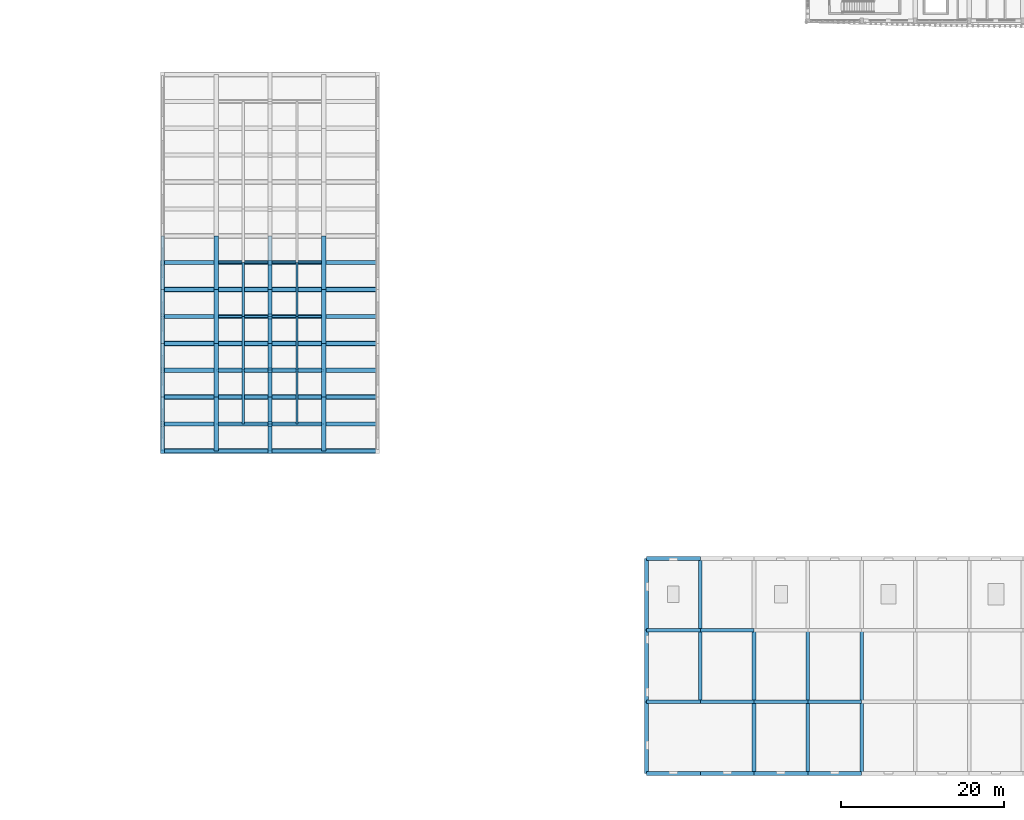
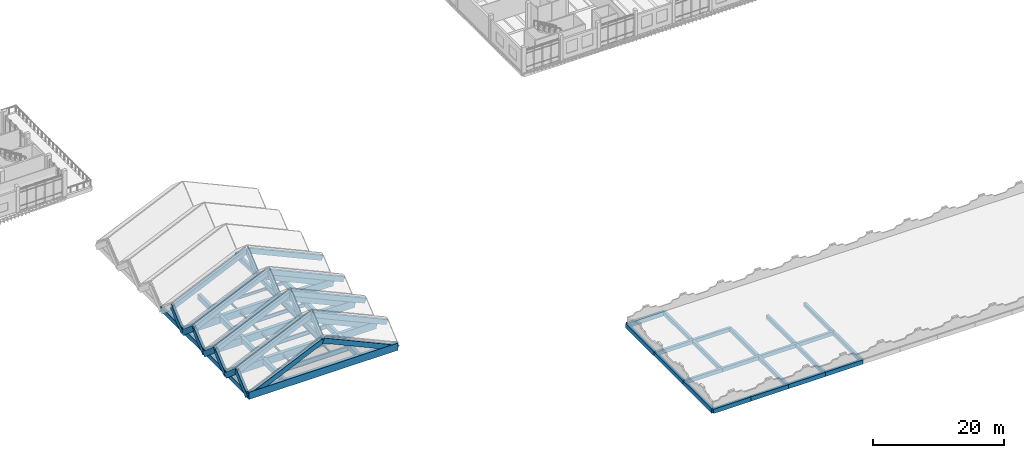
# One storey, part 2 of 50: 76 beams, 6 members.
"""IFC4 building model written with IfcOpenShell, lengths in metres."""

from ifc_helpers import new_model, si_unit, direction, frame, origin, origin_2d, place, context, subcontext, project, spatial, rectangle, i_section, extrude, material, material_profile, profile_set, type_object, element, save


model = new_model("IFC4")

# Units and contexts
model_context = context("Model", 3, precision=1e-05, world=origin(), true_north=direction((0.0, 1.0)))
body_context = subcontext(model_context, "Body", "Model", "MODEL_VIEW")
ifc_project = project(units=[si_unit("LENGTHUNIT", "METRE"), si_unit("AREAUNIT", "SQUARE_METRE"), si_unit("VOLUMEUNIT", "CUBIC_METRE"), si_unit("PLANEANGLEUNIT", "RADIAN"), si_unit("MASSUNIT", "GRAM", prefix="KILO")], contexts=[model_context])

# Site, building, storey
site_placement = place(None, origin())
site = spatial("IfcSite", under=ifc_project, at=site_placement, CompositionType="ELEMENT")
building_placement = place(site_placement, origin())
building = spatial("IfcBuilding", under=site, at=building_placement, Name="Dornvale Research Institute", CompositionType="ELEMENT")
storey_placement = place(building_placement, frame((0.0, 0.0, 19.800048828125)))
storey = spatial("IfcBuildingStorey", under=building, at=storey_placement, Name="L04", CompositionType="ELEMENT", Elevation=19.800048828125)

# Beams
ifc_material_1 = material(Name="Concrete f'c 45 MPa (C35/45)", Category="concrete")
ifc_material_profile_1 = material_profile(ifc_material_1, rectangle(XDim=0.449951171875, YDim=0.715087890625, at=origin_2d()), Name="RC 450x715")
ifc_profile_set_1 = profile_set([ifc_material_profile_1], Name="Concrete f'c 45 MPa (C35/45)")
beam_type_1 = type_object("IfcBeamType", Name="Beam_RC450x715_Lab", PredefinedType="BEAM", material=ifc_profile_set_1)
beam_1_placement = place(storey_placement, frame((99.0, 8.800048828125, -0.357666015625), z_axis=(1.0, 0.0, 0.0), x_axis=(0.0, 1.0, 0.0)))
element("IfcBeam", 1, at=beam_1_placement, inside=storey, type_object=beam_type_1, Name="L04 primary girder #1247", PredefinedType="BEAM", context=body_context, shape_type="SweptSolid", body=[
    extrude(rectangle(XDim=0.449951171875, YDim=0.715087890625, at=origin_2d()), origin(), (0.0, 0.0, 1.0), 6.60009765625),
])
beam_2_placement = place(storey_placement, frame((105.60009765625, 8.800048828125, -0.357666015625), z_axis=(1.0, 0.0, 0.0), x_axis=(0.0, 1.0, 0.0)))
element("IfcBeam", 2, at=beam_2_placement, inside=storey, type_object=beam_type_1, Name="L04 primary girder #1248", PredefinedType="BEAM", context=body_context, shape_type="SweptSolid", body=[
    extrude(rectangle(XDim=0.449951171875, YDim=0.715087890625, at=origin_2d()), origin(), (0.0, 0.0, 1.0), 6.599853515625),
])
beam_3_placement = place(storey_placement, frame((112.199951171875, 8.800048828125, -0.357666015625), z_axis=(1.0, 0.0, 0.0), x_axis=(0.0, 1.0, 0.0)))
element("IfcBeam", 3, at=beam_3_placement, inside=storey, type_object=beam_type_1, Name="L04 primary girder #1249", PredefinedType="BEAM", context=body_context, shape_type="SweptSolid", body=[
    extrude(rectangle(XDim=0.449951171875, YDim=0.715087890625, at=origin_2d()), origin(), (0.0, 0.0, 1.0), 6.60009765625),
])
beam_4_placement = place(storey_placement, frame((118.800048828125, 8.800048828125, -0.357666015625), z_axis=(1.0, 0.0, 0.0), x_axis=(0.0, 1.0, 0.0)))
element("IfcBeam", 4, at=beam_4_placement, inside=storey, type_object=beam_type_1, Name="L04 primary girder #1250", PredefinedType="BEAM", context=body_context, shape_type="SweptSolid", body=[
    extrude(rectangle(XDim=0.449951171875, YDim=0.715087890625, at=origin_2d()), origin(), (0.0, 0.0, 1.0), 6.599853515625),
])
beam_5_placement = place(storey_placement, frame((99.0, 17.60009765625, -0.357666015625), z_axis=(1.0, 0.0, 0.0), x_axis=(0.0, 1.0, 0.0)))
element("IfcBeam", 5, at=beam_5_placement, inside=storey, type_object=beam_type_1, Name="L04 primary girder #1259", PredefinedType="BEAM", context=body_context, shape_type="SweptSolid", body=[
    extrude(rectangle(XDim=0.449951171875, YDim=0.715087890625, at=origin_2d()), origin(), (0.0, 0.0, 1.0), 6.60009765625),
])
beam_6_placement = place(storey_placement, frame((105.60009765625, 17.60009765625, -0.357666015625), z_axis=(1.0, 0.0, 0.0), x_axis=(0.0, 1.0, 0.0)))
element("IfcBeam", 6, at=beam_6_placement, inside=storey, type_object=beam_type_1, Name="L04 primary girder #1260", PredefinedType="BEAM", context=body_context, shape_type="SweptSolid", body=[
    extrude(rectangle(XDim=0.449951171875, YDim=0.715087890625, at=origin_2d()), origin(), (0.0, 0.0, 1.0), 6.599853515625),
])
beam_7_placement = place(storey_placement, frame((105.60009765625, 8.800048828125, -0.357666015625), z_axis=(0.0, 1.0, 0.0), x_axis=(-1.0, 0.0, 0.0)))
element("IfcBeam", 7, at=beam_7_placement, inside=storey, type_object=beam_type_1, Name="L04 transverse girder #1286", PredefinedType="BEAM", context=body_context, shape_type="SweptSolid", body=[
    extrude(rectangle(XDim=0.449951171875, YDim=0.715087890625, at=origin_2d()), origin(), (0.0, 0.0, 1.0), 8.800048828125),
])
beam_8_placement = place(storey_placement, frame((105.60009765625, 17.60009765625, -0.357666015625), z_axis=(0.0, 1.0, 0.0), x_axis=(-1.0, 0.0, 0.0)))
element("IfcBeam", 8, at=beam_8_placement, inside=storey, type_object=beam_type_1, Name="L04 transverse girder #1287", PredefinedType="BEAM", context=body_context, shape_type="SweptSolid", body=[
    extrude(rectangle(XDim=0.449951171875, YDim=0.715087890625, at=origin_2d()), origin(), (0.0, 0.0, 1.0), 8.7998046875),
])
for number, where, z_axis, x_axis, name in (
    (9, (112.199951171875, 0.0, -0.357666015625), (0.0, 1.0, 0.0), (-1.0, 0.0, 0.0), "L04 transverse girder #1288"),
    (10, (112.199951171875, 8.800048828125, -0.357666015625), (0.0, 1.0, 0.0), (-1.0, 0.0, 0.0), "L04 transverse girder #1289"),
    (11, (118.800048828125, 0.0, -0.357666015625), (0.0, 1.0, 0.0), (-1.0, 0.0, 0.0), "L04 transverse girder #1291"),
    (12, (118.800048828125, 8.800048828125, -0.357666015625), (0.0, 1.0, 0.0), (-1.0, 0.0, 0.0), "L04 transverse girder #1292"),
    (13, (125.39990234375, 0.0, -0.357666015625), (0.0, 1.0, 0.0), (-1.0, 0.0, 0.0), "L04 transverse girder #1294"),
    (14, (125.39990234375, 8.800048828125, -0.357666015625), (0.0, 1.0, 0.0), (-1.0, 0.0, 0.0), "L04 transverse girder #1295"),
):
    element("IfcBeam", number, at=place(storey_placement, frame(where, z_axis=z_axis, x_axis=x_axis)), inside=storey, type_object=beam_type_1, Name=name, PredefinedType="BEAM", context=body_context, shape_type="SweptSolid", body=[
        extrude(rectangle(XDim=0.449951171875, YDim=0.715087890625, at=origin_2d()), origin(), (0.0, 0.0, 1.0), 8.800048828125),
    ])
ifc_material_2 = material(Name="Concrete f'c 45 MPa (C35/45)", Category="concrete")
ifc_material_profile_2 = material_profile(ifc_material_2, rectangle(XDim=0.5, YDim=0.89990234375, at=origin_2d()), Name="RC 500x900")
ifc_profile_set_2 = profile_set([ifc_material_profile_2], Name="Concrete f'c 45 MPa (C35/45)")
beam_type_2 = type_object("IfcBeamType", Name="Beam_RC500x900_Ridge", PredefinedType="BEAM", material=ifc_profile_set_2)
beam_9_placement = place(storey_placement, frame((52.800048828125, 39.60009765625, 5.030029296875), z_axis=(0.0, 1.0, 0.0), x_axis=(-1.0, 0.0, 0.0)))
element("IfcBeam", 15, at=beam_9_placement, inside=storey, type_object=beam_type_2, Name="L04 V2 folded-plate valley spine tie #1943", PredefinedType="BEAM", context=body_context, shape_type="SweptSolid", body=[
    extrude(rectangle(XDim=0.5, YDim=0.89990234375, at=origin_2d()), origin(), (0.0, 0.0, 1.0), 6.599853515625),
])
beam_10_placement = place(storey_placement, frame((52.800048828125, 46.199951171875, 5.030029296875), z_axis=(0.0, 1.0, 0.0), x_axis=(-1.0, 0.0, 0.0)))
element("IfcBeam", 16, at=beam_10_placement, inside=storey, type_object=beam_type_2, Name="L04 V2 folded-plate valley spine tie #1948", PredefinedType="BEAM", context=body_context, shape_type="SweptSolid", body=[
    extrude(rectangle(XDim=0.5, YDim=0.89990234375, at=origin_2d()), origin(), (0.0, 0.0, 1.0), 6.60009765625),
])
beam_11_placement = place(storey_placement, frame((52.800048828125, 52.800048828125, 5.030029296875), z_axis=(0.0, 1.0, 0.0), x_axis=(-1.0, 0.0, 0.0)))
element("IfcBeam", 17, at=beam_11_placement, inside=storey, type_object=beam_type_2, Name="L04 V2 folded-plate valley spine tie #1953", PredefinedType="BEAM", context=body_context, shape_type="SweptSolid", body=[
    extrude(rectangle(XDim=0.5, YDim=0.89990234375, at=origin_2d()), origin(), (0.0, 0.0, 1.0), 6.599853515625),
])
beam_12_placement = place(storey_placement, frame((52.800048828125, 59.39990234375, 5.030029296875), z_axis=(0.0, 1.0, 0.0), x_axis=(-1.0, 0.0, 0.0)))
element("IfcBeam", 18, at=beam_12_placement, inside=storey, type_object=beam_type_2, Name="L04 V2 folded-plate valley spine tie #1958", PredefinedType="BEAM", context=body_context, shape_type="SweptSolid", body=[
    extrude(rectangle(XDim=0.5, YDim=0.89990234375, at=origin_2d()), origin(), (0.0, 0.0, 1.0), 6.60009765625),
])
for number, where, z_axis, x_axis, name in (
    (19, (52.800048828125, 39.60009765625, 5.030029296875), (0.0, 0.762512508849, 0.646973472291), (-1.0, 0.0, 0.0), "L04 V2 folded-plate spine chord S #1975"),
    (20, (52.800048828125, 42.89990234375, 7.829833984375), (0.0, 0.762536121444, -0.646945641838), (-1.0, 0.0, 0.0), "L04 V2 folded-plate spine chord N #1975"),
):
    element("IfcBeam", number, at=place(storey_placement, frame(where, z_axis=z_axis, x_axis=x_axis)), inside=storey, type_object=beam_type_2, Name=name, PredefinedType="BEAM", context=body_context, shape_type="SweptSolid", body=[
        extrude(rectangle(XDim=0.5, YDim=0.89990234375, at=origin_2d()), origin(), (0.0, 0.0, 1.0), 4.32763671875),
    ])
for number, where, z_axis, x_axis, name in (
    (21, (39.60009765625, 42.89990234375, 1.829833984375), (0.910365900827, 0.0, 0.413804212897), (0.0, 1.0, 0.0), "L04 V2 west pleat ridge rafter #1975"),
    (22, (66.0, 42.89990234375, 1.829833984375), (-0.910365900827, 0.0, 0.413804212897), (0.0, -1.0, 0.0), "L04 V2 east pleat ridge rafter #1975"),
):
    element("IfcBeam", number, at=place(storey_placement, frame(where, z_axis=z_axis, x_axis=x_axis)), inside=storey, type_object=beam_type_2, Name=name, PredefinedType="BEAM", context=body_context, shape_type="SweptSolid", body=[
        extrude(rectangle(XDim=0.5, YDim=0.89990234375, at=origin_2d()), origin(), (0.0, 0.0, 1.0), 14.49951171875),
    ])
for number, where, z_axis, x_axis, name in (
    (23, (52.800048828125, 46.199951171875, 5.030029296875), (0.0, 0.762536121444, 0.646945641838), (-1.0, 0.0, 0.0), "L04 V2 folded-plate spine chord S #1975"),
    (24, (52.800048828125, 49.5, 7.829833984375), (0.0, 0.762536121444, -0.646945641838), (-1.0, 0.0, 0.0), "L04 V2 folded-plate spine chord N #1975"),
):
    element("IfcBeam", number, at=place(storey_placement, frame(where, z_axis=z_axis, x_axis=x_axis)), inside=storey, type_object=beam_type_2, Name=name, PredefinedType="BEAM", context=body_context, shape_type="SweptSolid", body=[
        extrude(rectangle(XDim=0.5, YDim=0.89990234375, at=origin_2d()), origin(), (0.0, 0.0, 1.0), 4.32763671875),
    ])
for number, where, z_axis, x_axis, name in (
    (25, (39.60009765625, 49.5, 1.829833984375), (0.910365900827, 0.0, 0.413804212897), (0.0, 1.0, 0.0), "L04 V2 west pleat ridge rafter #1975"),
    (26, (66.0, 49.5, 1.829833984375), (-0.910365900827, 0.0, 0.413804212897), (0.0, -1.0, 0.0), "L04 V2 east pleat ridge rafter #1975"),
):
    element("IfcBeam", number, at=place(storey_placement, frame(where, z_axis=z_axis, x_axis=x_axis)), inside=storey, type_object=beam_type_2, Name=name, PredefinedType="BEAM", context=body_context, shape_type="SweptSolid", body=[
        extrude(rectangle(XDim=0.5, YDim=0.89990234375, at=origin_2d()), origin(), (0.0, 0.0, 1.0), 14.49951171875),
    ])
for number, where, z_axis, x_axis, name in (
    (27, (52.800048828125, 52.800048828125, 5.030029296875), (0.0, 0.762536121444, 0.646945641838), (-1.0, 0.0, 0.0), "L04 V2 folded-plate spine chord S #1975"),
    (28, (52.800048828125, 56.10009765625, 7.829833984375), (0.0, 0.762512508849, -0.646973472291), (-1.0, 0.0, 0.0), "L04 V2 folded-plate spine chord N #1975"),
):
    element("IfcBeam", number, at=place(storey_placement, frame(where, z_axis=z_axis, x_axis=x_axis)), inside=storey, type_object=beam_type_2, Name=name, PredefinedType="BEAM", context=body_context, shape_type="SweptSolid", body=[
        extrude(rectangle(XDim=0.5, YDim=0.89990234375, at=origin_2d()), origin(), (0.0, 0.0, 1.0), 4.32763671875),
    ])
for number, where, z_axis, x_axis, name in (
    (29, (39.60009765625, 56.10009765625, 1.829833984375), (0.910365900827, 0.0, 0.413804212897), (0.0, 1.0, 0.0), "L04 V2 west pleat ridge rafter #1975"),
    (30, (66.0, 56.10009765625, 1.829833984375), (-0.910365900827, 0.0, 0.413804212897), (0.0, -1.0, 0.0), "L04 V2 east pleat ridge rafter #1975"),
):
    element("IfcBeam", number, at=place(storey_placement, frame(where, z_axis=z_axis, x_axis=x_axis)), inside=storey, type_object=beam_type_2, Name=name, PredefinedType="BEAM", context=body_context, shape_type="SweptSolid", body=[
        extrude(rectangle(XDim=0.5, YDim=0.89990234375, at=origin_2d()), origin(), (0.0, 0.0, 1.0), 14.49951171875),
    ])
beam_13_placement = place(storey_placement, frame((52.800048828125, 59.39990234375, 5.030029296875), z_axis=(0.0, 0.762536121444, 0.646945641838), x_axis=(-1.0, 0.0, 0.0)))
element("IfcBeam", 31, at=beam_13_placement, inside=storey, type_object=beam_type_2, Name="L04 V2 folded-plate spine chord S #1975", PredefinedType="BEAM", context=body_context, shape_type="SweptSolid", body=[
    extrude(rectangle(XDim=0.5, YDim=0.89990234375, at=origin_2d()), origin(), (0.0, 0.0, 1.0), 4.32763671875),
])
for number, where, z_axis, x_axis, name in (
    (32, (39.60009765625, 62.699951171875, 1.829833984375), (0.910365900827, 0.0, 0.413804212897), (0.0, 1.0, 0.0), "L04 V2 west pleat ridge rafter #1975"),
    (33, (66.0, 62.699951171875, 1.829833984375), (-0.910365900827, 0.0, 0.413804212897), (0.0, -1.0, 0.0), "L04 V2 east pleat ridge rafter #1975"),
    (34, (39.60009765625, 39.60009765625, -0.969970703125), (0.910365900827, 0.0, 0.413804212897), (0.0, 1.0, 0.0), "L04 V2 west valley rafter #1977"),
    (35, (66.0, 39.60009765625, -0.969970703125), (-0.910365900827, 0.0, 0.413804212897), (0.0, -1.0, 0.0), "L04 V2 east valley rafter #1978"),
    (36, (39.60009765625, 46.199951171875, -0.969970703125), (0.910365900827, 0.0, 0.413804212897), (0.0, 1.0, 0.0), "L04 V2 west valley rafter #1980"),
    (37, (66.0, 46.199951171875, -0.969970703125), (-0.910365900827, 0.0, 0.413804212897), (0.0, -1.0, 0.0), "L04 V2 east valley rafter #1981"),
    (38, (39.60009765625, 52.800048828125, -0.969970703125), (0.910365900827, 0.0, 0.413804212897), (0.0, 1.0, 0.0), "L04 V2 west valley rafter #1983"),
    (39, (66.0, 52.800048828125, -0.969970703125), (-0.910365900827, 0.0, 0.413804212897), (0.0, -1.0, 0.0), "L04 V2 east valley rafter #1984"),
    (40, (39.60009765625, 59.39990234375, -0.969970703125), (0.910365900827, 0.0, 0.413804212897), (0.0, 1.0, 0.0), "L04 V2 west valley rafter #1986"),
    (41, (66.0, 59.39990234375, -0.969970703125), (-0.910365900827, 0.0, 0.413804212897), (0.0, -1.0, 0.0), "L04 V2 east valley rafter #1987"),
):
    element("IfcBeam", number, at=place(storey_placement, frame(where, z_axis=z_axis, x_axis=x_axis)), inside=storey, type_object=beam_type_2, Name=name, PredefinedType="BEAM", context=body_context, shape_type="SweptSolid", body=[
        extrude(rectangle(XDim=0.5, YDim=0.89990234375, at=origin_2d()), origin(), (0.0, 0.0, 1.0), 14.49951171875),
    ])
ifc_material_3 = material(Name="Concrete f'c 45 MPa (C35/45)", Category="concrete")
ifc_material_profile_3 = material_profile(ifc_material_3, rectangle(XDim=0.550048828125, YDim=1.0, at=origin_2d()), Name="RC 550x1000")
ifc_profile_set_3 = profile_set([ifc_material_profile_3], Name="Concrete f'c 45 MPa (C35/45)")
beam_type_3 = type_object("IfcBeamType", Name="Beam_RC550x1000_Girder", PredefinedType="BEAM", material=ifc_profile_set_3)
for number, where, z_axis, x_axis, name in (
    (42, (46.199951171875, 39.60009765625, -0.5), (0.0, 1.0, 0.0), (-1.0, 0.0, 0.0), "L04 V2 atrium west gallery beam #1944"),
    (43, (59.39990234375, 39.60009765625, -0.5), (0.0, 1.0, 0.0), (-1.0, 0.0, 0.0), "L04 V2 atrium east gallery beam #1945"),
):
    element("IfcBeam", number, at=place(storey_placement, frame(where, z_axis=z_axis, x_axis=x_axis)), inside=storey, type_object=beam_type_3, Name=name, PredefinedType="BEAM", context=body_context, shape_type="SweptSolid", body=[
        extrude(rectangle(XDim=0.550048828125, YDim=1.0, at=origin_2d()), origin(), (0.0, 0.0, 1.0), 6.599853515625),
    ])
for number, where, z_axis, x_axis, name in (
    (44, (46.199951171875, 46.199951171875, -0.5), (0.0, 1.0, 0.0), (-1.0, 0.0, 0.0), "L04 V2 atrium west gallery beam #1949"),
    (45, (59.39990234375, 46.199951171875, -0.5), (0.0, 1.0, 0.0), (-1.0, 0.0, 0.0), "L04 V2 atrium east gallery beam #1950"),
):
    element("IfcBeam", number, at=place(storey_placement, frame(where, z_axis=z_axis, x_axis=x_axis)), inside=storey, type_object=beam_type_3, Name=name, PredefinedType="BEAM", context=body_context, shape_type="SweptSolid", body=[
        extrude(rectangle(XDim=0.550048828125, YDim=1.0, at=origin_2d()), origin(), (0.0, 0.0, 1.0), 6.60009765625),
    ])
for number, where, z_axis, x_axis, name in (
    (46, (46.199951171875, 52.800048828125, -0.5), (0.0, 1.0, 0.0), (-1.0, 0.0, 0.0), "L04 V2 atrium west gallery beam #1954"),
    (47, (59.39990234375, 52.800048828125, -0.5), (0.0, 1.0, 0.0), (-1.0, 0.0, 0.0), "L04 V2 atrium east gallery beam #1955"),
):
    element("IfcBeam", number, at=place(storey_placement, frame(where, z_axis=z_axis, x_axis=x_axis)), inside=storey, type_object=beam_type_3, Name=name, PredefinedType="BEAM", context=body_context, shape_type="SweptSolid", body=[
        extrude(rectangle(XDim=0.550048828125, YDim=1.0, at=origin_2d()), origin(), (0.0, 0.0, 1.0), 6.599853515625),
    ])
for number, where, z_axis, x_axis, name in (
    (48, (46.199951171875, 59.39990234375, -0.5), (0.0, 1.0, 0.0), (-1.0, 0.0, 0.0), "L04 V2 atrium west gallery beam #1959"),
    (49, (59.39990234375, 59.39990234375, -0.5), (0.0, 1.0, 0.0), (-1.0, 0.0, 0.0), "L04 V2 atrium east gallery beam #1960"),
):
    element("IfcBeam", number, at=place(storey_placement, frame(where, z_axis=z_axis, x_axis=x_axis)), inside=storey, type_object=beam_type_3, Name=name, PredefinedType="BEAM", context=body_context, shape_type="SweptSolid", body=[
        extrude(rectangle(XDim=0.550048828125, YDim=1.0, at=origin_2d()), origin(), (0.0, 0.0, 1.0), 6.60009765625),
    ])
ifc_material_4 = material(Name="Steel ASTM A992 Grade 50", Category="steel")
ifc_material_profile_4 = material_profile(ifc_material_4, i_section(OverallWidth=0.2099609375, OverallDepth=0.535888671875, WebThickness=0.010986328125, FlangeThickness=0.017333984375, at=origin_2d()), Name="W21X68")
ifc_profile_set_4 = profile_set([ifc_material_profile_4], Name="Steel ASTM A992 Grade 50")
beam_type_4 = type_object("IfcBeamType", Name="Beam_Steel_W21X68", PredefinedType="BEAM", material=ifc_profile_set_4)
beam_14_placement = place(storey_placement, frame((46.199951171875, 62.699951171875, -0.568115234375), z_axis=(1.0, 0.0, 0.0), x_axis=(0.0, 1.0, 0.0)))
element("IfcBeam", 50, at=beam_14_placement, inside=storey, type_object=beam_type_4, Name="L04 atrium skylight mid-bay steel tie #2003", PredefinedType="BEAM", context=body_context, shape_type="SweptSolid", body=[
    extrude(i_section(OverallWidth=0.2099609375, OverallDepth=0.535888671875, WebThickness=0.010986328125, FlangeThickness=0.017333984375, at=origin_2d()), origin(), (0.0, 0.0, 1.0), 13.199951171875),
])
ifc_material_5 = material(Name="Steel ASTM A992 Grade 50", Category="steel")
ifc_material_profile_5 = material_profile(ifc_material_5, i_section(OverallWidth=0.25390625, OverallDepth=0.68310546875, WebThickness=0.012451171875, FlangeThickness=0.018798828125, at=origin_2d()), Name="W27X94")
ifc_profile_set_5 = profile_set([ifc_material_profile_5], Name="Steel ASTM A992 Grade 50")
beam_type_5 = type_object("IfcBeamType", Name="Beam_Steel_W27X94", PredefinedType="BEAM", material=ifc_profile_set_5)
beam_15_placement = place(storey_placement, frame((46.199951171875, 56.10009765625, -0.6416015625), z_axis=(1.0, 0.0, 0.0), x_axis=(0.0, 1.0, 0.0)))
element("IfcBeam", 51, at=beam_15_placement, inside=storey, type_object=beam_type_5, Name="L04 atrium skylight mid-bay steel tie #2002", PredefinedType="BEAM", context=body_context, shape_type="SweptSolid", body=[
    extrude(i_section(OverallWidth=0.25390625, OverallDepth=0.68310546875, WebThickness=0.012451171875, FlangeThickness=0.018798828125, at=origin_2d()), origin(), (0.0, 0.0, 1.0), 13.199951171875),
])
ifc_material_6 = material(Name="Steel ASTM A992 Grade 50", Category="steel")
ifc_material_profile_6 = material_profile(ifc_material_6, i_section(OverallWidth=0.26708984375, OverallDepth=0.757080078125, WebThickness=0.013916015625, FlangeThickness=0.019287109375, at=origin_2d()), Name="W30X108")
ifc_profile_set_6 = profile_set([ifc_material_profile_6], Name="Steel ASTM A992 Grade 50")
beam_type_6 = type_object("IfcBeamType", Name="Beam_Steel_W30X108", PredefinedType="BEAM", material=ifc_profile_set_6)
beam_16_placement = place(storey_placement, frame((46.199951171875, 49.5, -0.678466796875), z_axis=(1.0, 0.0, 0.0), x_axis=(0.0, 1.0, 0.0)))
element("IfcBeam", 52, at=beam_16_placement, inside=storey, type_object=beam_type_6, Name="L04 atrium skylight mid-bay steel tie #2001", PredefinedType="BEAM", context=body_context, shape_type="SweptSolid", body=[
    extrude(i_section(OverallWidth=0.26708984375, OverallDepth=0.757080078125, WebThickness=0.013916015625, FlangeThickness=0.019287109375, at=origin_2d()), origin(), (0.0, 0.0, 1.0), 13.199951171875),
])
ifc_material_7 = material(Name="Steel ASTM A992 Grade 50", Category="steel")
ifc_material_profile_7 = material_profile(ifc_material_7, i_section(OverallWidth=0.304931640625, OverallDepth=0.912109375, WebThickness=0.015869140625, FlangeThickness=0.02392578125, at=origin_2d()), Name="W36X150")
ifc_profile_set_7 = profile_set([ifc_material_profile_7], Name="Steel ASTM A992 Grade 50")
beam_type_7 = type_object("IfcBeamType", Name="Beam_Steel_W36X150", PredefinedType="BEAM", material=ifc_profile_set_7)
beam_17_placement = place(storey_placement, frame((46.199951171875, 42.89990234375, -0.756103515625), z_axis=(1.0, 0.0, 0.0), x_axis=(0.0, 1.0, 0.0)))
element("IfcBeam", 53, at=beam_17_placement, inside=storey, type_object=beam_type_7, Name="L04 atrium skylight mid-bay steel tie #2000", PredefinedType="BEAM", context=body_context, shape_type="SweptSolid", body=[
    extrude(i_section(OverallWidth=0.304931640625, OverallDepth=0.912109375, WebThickness=0.015869140625, FlangeThickness=0.02392578125, at=origin_2d()), origin(), (0.0, 0.0, 1.0), 13.199951171875),
])

# Members
ifc_material_8 = material(Name="Steel ASTM A992 Grade 50", Category="steel")
ifc_material_profile_8 = material_profile(ifc_material_8, i_section(OverallWidth=0.201904296875, OverallDepth=0.2470703125, WebThickness=0.00732421875, FlangeThickness=0.010986328125, at=origin_2d()), Name="W10X33")
ifc_profile_set_8 = profile_set([ifc_material_profile_8], Name="Steel ASTM A992 Grade 50")
member_type_1 = type_object("IfcMemberType", Name="Purlin_W10X33_Skylight", PredefinedType="PURLIN", material=ifc_profile_set_8)
for number, where, z_axis, x_axis, name in (
    (54, (56.10009765625, 42.89990234375, -0.423583984375), (0.0, 1.0, 0.0), (-1.0, 0.0, 0.0), "Atrium gallery purlin #21"),
    (55, (56.10009765625, 49.5, -0.423583984375), (0.0, 1.0, 0.0), (-1.0, 0.0, 0.0), "Atrium gallery purlin #23"),
):
    element("IfcMember", number, at=place(storey_placement, frame(where, z_axis=z_axis, x_axis=x_axis)), inside=storey, type_object=member_type_1, Name=name, PredefinedType="PURLIN", context=body_context, shape_type="SweptSolid", body=[
        extrude(i_section(OverallWidth=0.201904296875, OverallDepth=0.2470703125, WebThickness=0.00732421875, FlangeThickness=0.010986328125, at=origin_2d()), origin(), (0.0, 0.0, 1.0), 6.60009765625),
    ])
member_1_placement = place(storey_placement, frame((56.10009765625, 56.10009765625, -0.423583984375), z_axis=(0.0, 1.0, 0.0), x_axis=(-1.0, 0.0, 0.0)))
element("IfcMember", 56, at=member_1_placement, inside=storey, type_object=member_type_1, Name="Atrium gallery purlin #25", PredefinedType="PURLIN", context=body_context, shape_type="SweptSolid", body=[
    extrude(i_section(OverallWidth=0.201904296875, OverallDepth=0.2470703125, WebThickness=0.00732421875, FlangeThickness=0.010986328125, at=origin_2d()), origin(), (0.0, 0.0, 1.0), 6.599853515625),
])
ifc_material_9 = material(Name="Steel ASTM A992 Grade 50", Category="steel")
ifc_material_profile_9 = material_profile(ifc_material_9, i_section(OverallWidth=0.25390625, OverallDepth=0.305908203125, WebThickness=0.0087890625, FlangeThickness=0.0146484375, at=origin_2d()), Name="W12X53")
ifc_profile_set_9 = profile_set([ifc_material_profile_9], Name="Steel ASTM A992 Grade 50")
member_type_2 = type_object("IfcMemberType", Name="Purlin_W12X53_Skylight", PredefinedType="PURLIN", material=ifc_profile_set_9)
for number, where, z_axis, x_axis, name in (
    (57, (49.5, 42.89990234375, -0.453125), (0.0, 1.0, 0.0), (-1.0, 0.0, 0.0), "Atrium gallery purlin #20"),
    (58, (49.5, 49.5, -0.453125), (0.0, 1.0, 0.0), (-1.0, 0.0, 0.0), "Atrium gallery purlin #22"),
):
    element("IfcMember", number, at=place(storey_placement, frame(where, z_axis=z_axis, x_axis=x_axis)), inside=storey, type_object=member_type_2, Name=name, PredefinedType="PURLIN", context=body_context, shape_type="SweptSolid", body=[
        extrude(i_section(OverallWidth=0.25390625, OverallDepth=0.305908203125, WebThickness=0.0087890625, FlangeThickness=0.0146484375, at=origin_2d()), origin(), (0.0, 0.0, 1.0), 6.60009765625),
    ])
member_2_placement = place(storey_placement, frame((49.5, 56.10009765625, -0.453125), z_axis=(0.0, 1.0, 0.0), x_axis=(-1.0, 0.0, 0.0)))
element("IfcMember", 59, at=member_2_placement, inside=storey, type_object=member_type_2, Name="Atrium gallery purlin #24", PredefinedType="PURLIN", context=body_context, shape_type="SweptSolid", body=[
    extrude(i_section(OverallWidth=0.25390625, OverallDepth=0.305908203125, WebThickness=0.0087890625, FlangeThickness=0.0146484375, at=origin_2d()), origin(), (0.0, 0.0, 1.0), 6.599853515625),
])

# Beams
ifc_material_10 = material(Name="Concrete f'c 45 MPa (C35/45)", Category="concrete")
ifc_material_profile_10 = material_profile(ifc_material_10, rectangle(XDim=0.449951171875, YDim=0.800048828125, at=origin_2d()), Name="RC 450x800")
ifc_profile_set_10 = profile_set([ifc_material_profile_10], Name="Concrete f'c 45 MPa (C35/45)")
beam_type_8 = type_object("IfcBeamType", Name="Spandrel_RC450x800_Ext", PredefinedType="SPANDREL", material=ifc_profile_set_10)
beam_18_placement = place(storey_placement, frame((99.0, 0.0, -0.400146484375), z_axis=(1.0, 0.0, 0.0), x_axis=(0.0, 1.0, 0.0)))
element("IfcBeam", 60, at=beam_18_placement, inside=storey, type_object=beam_type_8, Name="L04 perimeter spandrel #1235", PredefinedType="SPANDREL", context=body_context, shape_type="SweptSolid", body=[
    extrude(rectangle(XDim=0.449951171875, YDim=0.800048828125, at=origin_2d()), origin(), (0.0, 0.0, 1.0), 6.60009765625),
])
beam_19_placement = place(storey_placement, frame((105.60009765625, 0.0, -0.400146484375), z_axis=(1.0, 0.0, 0.0), x_axis=(0.0, 1.0, 0.0)))
element("IfcBeam", 61, at=beam_19_placement, inside=storey, type_object=beam_type_8, Name="L04 perimeter spandrel #1236", PredefinedType="SPANDREL", context=body_context, shape_type="SweptSolid", body=[
    extrude(rectangle(XDim=0.449951171875, YDim=0.800048828125, at=origin_2d()), origin(), (0.0, 0.0, 1.0), 6.599853515625),
])
beam_20_placement = place(storey_placement, frame((112.199951171875, 0.0, -0.400146484375), z_axis=(1.0, 0.0, 0.0), x_axis=(0.0, 1.0, 0.0)))
element("IfcBeam", 62, at=beam_20_placement, inside=storey, type_object=beam_type_8, Name="L04 perimeter spandrel #1237", PredefinedType="SPANDREL", context=body_context, shape_type="SweptSolid", body=[
    extrude(rectangle(XDim=0.449951171875, YDim=0.800048828125, at=origin_2d()), origin(), (0.0, 0.0, 1.0), 6.60009765625),
])
beam_21_placement = place(storey_placement, frame((118.800048828125, 0.0, -0.400146484375), z_axis=(1.0, 0.0, 0.0), x_axis=(0.0, 1.0, 0.0)))
element("IfcBeam", 63, at=beam_21_placement, inside=storey, type_object=beam_type_8, Name="L04 perimeter spandrel #1238", PredefinedType="SPANDREL", context=body_context, shape_type="SweptSolid", body=[
    extrude(rectangle(XDim=0.449951171875, YDim=0.800048828125, at=origin_2d()), origin(), (0.0, 0.0, 1.0), 6.599853515625),
])
beam_22_placement = place(storey_placement, frame((99.0, 26.39990234375, -0.400146484375), z_axis=(1.0, 0.0, 0.0), x_axis=(0.0, 1.0, 0.0)))
element("IfcBeam", 64, at=beam_22_placement, inside=storey, type_object=beam_type_8, Name="L04 perimeter spandrel #1271", PredefinedType="SPANDREL", context=body_context, shape_type="SweptSolid", body=[
    extrude(rectangle(XDim=0.449951171875, YDim=0.800048828125, at=origin_2d()), origin(), (0.0, 0.0, 1.0), 6.60009765625),
])
for number, where, z_axis, x_axis, name in (
    (65, (99.0, 0.0, -0.400146484375), (0.0, 1.0, 0.0), (-1.0, 0.0, 0.0), "L04 perimeter spandrel #1283"),
    (66, (99.0, 8.800048828125, -0.400146484375), (0.0, 1.0, 0.0), (-1.0, 0.0, 0.0), "L04 perimeter spandrel #1284"),
):
    element("IfcBeam", number, at=place(storey_placement, frame(where, z_axis=z_axis, x_axis=x_axis)), inside=storey, type_object=beam_type_8, Name=name, PredefinedType="SPANDREL", context=body_context, shape_type="SweptSolid", body=[
        extrude(rectangle(XDim=0.449951171875, YDim=0.800048828125, at=origin_2d()), origin(), (0.0, 0.0, 1.0), 8.800048828125),
    ])
beam_23_placement = place(storey_placement, frame((99.0, 17.60009765625, -0.400146484375), z_axis=(0.0, 1.0, 0.0), x_axis=(-1.0, 0.0, 0.0)))
element("IfcBeam", 67, at=beam_23_placement, inside=storey, type_object=beam_type_8, Name="L04 perimeter spandrel #1285", PredefinedType="SPANDREL", context=body_context, shape_type="SweptSolid", body=[
    extrude(rectangle(XDim=0.449951171875, YDim=0.800048828125, at=origin_2d()), origin(), (0.0, 0.0, 1.0), 8.7998046875),
])
ifc_material_11 = material(Name="Concrete f'c 45 MPa (C35/45)", Category="concrete")
ifc_material_profile_11 = material_profile(ifc_material_11, rectangle(XDim=0.449951171875, YDim=0.85009765625, at=origin_2d()), Name="RC 450x850")
ifc_profile_set_11 = profile_set([ifc_material_profile_11], Name="Concrete f'c 45 MPa (C35/45)")
beam_type_9 = type_object("IfcBeamType", Name="Spandrel_RC450x850_Ext", PredefinedType="SPANDREL", material=ifc_profile_set_11)
beam_24_placement = place(storey_placement, frame((39.60009765625, 39.60009765625, -0.425048828125), z_axis=(0.0, 1.0, 0.0), x_axis=(-1.0, 0.0, 0.0)))
element("IfcBeam", 68, at=beam_24_placement, inside=storey, type_object=beam_type_9, Name="L04 V2 west eave beam #1941", PredefinedType="SPANDREL", context=body_context, shape_type="SweptSolid", body=[
    extrude(rectangle(XDim=0.449951171875, YDim=0.85009765625, at=origin_2d()), origin(), (0.0, 0.0, 1.0), 6.599853515625),
])
beam_25_placement = place(storey_placement, frame((39.60009765625, 46.199951171875, -0.425048828125), z_axis=(0.0, 1.0, 0.0), x_axis=(-1.0, 0.0, 0.0)))
element("IfcBeam", 69, at=beam_25_placement, inside=storey, type_object=beam_type_9, Name="L04 V2 west eave beam #1946", PredefinedType="SPANDREL", context=body_context, shape_type="SweptSolid", body=[
    extrude(rectangle(XDim=0.449951171875, YDim=0.85009765625, at=origin_2d()), origin(), (0.0, 0.0, 1.0), 6.60009765625),
])
beam_26_placement = place(storey_placement, frame((39.60009765625, 52.800048828125, -0.425048828125), z_axis=(0.0, 1.0, 0.0), x_axis=(-1.0, 0.0, 0.0)))
element("IfcBeam", 70, at=beam_26_placement, inside=storey, type_object=beam_type_9, Name="L04 V2 west eave beam #1951", PredefinedType="SPANDREL", context=body_context, shape_type="SweptSolid", body=[
    extrude(rectangle(XDim=0.449951171875, YDim=0.85009765625, at=origin_2d()), origin(), (0.0, 0.0, 1.0), 6.599853515625),
])
beam_27_placement = place(storey_placement, frame((39.60009765625, 59.39990234375, -0.425048828125), z_axis=(0.0, 1.0, 0.0), x_axis=(-1.0, 0.0, 0.0)))
element("IfcBeam", 71, at=beam_27_placement, inside=storey, type_object=beam_type_9, Name="L04 V2 west eave beam #1956", PredefinedType="SPANDREL", context=body_context, shape_type="SweptSolid", body=[
    extrude(rectangle(XDim=0.449951171875, YDim=0.85009765625, at=origin_2d()), origin(), (0.0, 0.0, 1.0), 6.60009765625),
])
ifc_material_12 = material(Name="Concrete f'c 45 MPa (C35/45)", Category="concrete")
ifc_material_profile_12 = material_profile(ifc_material_12, rectangle(XDim=0.5, YDim=0.89990234375, at=origin_2d()), Name="RC 500x900")
ifc_profile_set_12 = profile_set([ifc_material_profile_12], Name="Concrete f'c 45 MPa (C35/45)")
beam_type_10 = type_object("IfcBeamType", Name="Spandrel_RC500x900_Pleat", PredefinedType="SPANDREL", material=ifc_profile_set_12)
for number, where, z_axis, x_axis, name in (
    (72, (39.60009765625, 39.60009765625, -0.969970703125), (0.0, 0.762512508849, 0.646973472291), (-1.0, 0.0, 0.0), "L04 V2 pleated eave chord S #1975"),
    (73, (39.60009765625, 42.89990234375, 1.829833984375), (0.0, 0.762536121444, -0.646945641838), (-1.0, 0.0, 0.0), "L04 V2 pleated eave chord N #1975"),
    (74, (39.60009765625, 46.199951171875, -0.969970703125), (0.0, 0.762536121444, 0.646945641838), (-1.0, 0.0, 0.0), "L04 V2 pleated eave chord S #1975"),
    (75, (39.60009765625, 49.5, 1.829833984375), (0.0, 0.762536121444, -0.646945641838), (-1.0, 0.0, 0.0), "L04 V2 pleated eave chord N #1975"),
    (76, (39.60009765625, 52.800048828125, -0.969970703125), (0.0, 0.762536121444, 0.646945641838), (-1.0, 0.0, 0.0), "L04 V2 pleated eave chord S #1975"),
    (77, (39.60009765625, 56.10009765625, 1.829833984375), (0.0, 0.762512508849, -0.646973472291), (-1.0, 0.0, 0.0), "L04 V2 pleated eave chord N #1975"),
    (78, (39.60009765625, 59.39990234375, -0.969970703125), (0.0, 0.762536121444, 0.646945641838), (-1.0, 0.0, 0.0), "L04 V2 pleated eave chord S #1975"),
):
    element("IfcBeam", number, at=place(storey_placement, frame(where, z_axis=z_axis, x_axis=x_axis)), inside=storey, type_object=beam_type_10, Name=name, PredefinedType="SPANDREL", context=body_context, shape_type="SweptSolid", body=[
        extrude(rectangle(XDim=0.5, YDim=0.89990234375, at=origin_2d()), origin(), (0.0, 0.0, 1.0), 4.32763671875),
    ])
ifc_material_13 = material(Name="Concrete f'c 50 MPa (C40/50)", Category="concrete")
ifc_material_profile_13 = material_profile(ifc_material_13, rectangle(XDim=0.60009765625, YDim=1.35009765625, at=origin_2d()), Name="RC 600x1350")
ifc_profile_set_13 = profile_set([ifc_material_profile_13], Name="Concrete f'c 50 MPa (C40/50)")
beam_type_11 = type_object("IfcBeamType", Name="TBeam_RC600x1350_Tie", PredefinedType="T_BEAM", material=ifc_profile_set_13)
for number, where, z_axis, x_axis, name in (
    (79, (39.60009765625, 39.60009765625, -0.675048828125), (1.0, 0.0, 0.0), (0.0, 1.0, 0.0), "L04 V2 folded-plate tie girder #1976"),
    (80, (39.60009765625, 46.199951171875, -0.675048828125), (1.0, 0.0, 0.0), (0.0, 1.0, 0.0), "L04 V2 folded-plate tie girder #1979"),
    (81, (39.60009765625, 52.800048828125, -0.675048828125), (1.0, 0.0, 0.0), (0.0, 1.0, 0.0), "L04 V2 folded-plate tie girder #1982"),
    (82, (39.60009765625, 59.39990234375, -0.675048828125), (1.0, 0.0, 0.0), (0.0, 1.0, 0.0), "L04 V2 folded-plate tie girder #1985"),
):
    element("IfcBeam", number, at=place(storey_placement, frame(where, z_axis=z_axis, x_axis=x_axis)), inside=storey, type_object=beam_type_11, Name=name, PredefinedType="T_BEAM", context=body_context, shape_type="SweptSolid", body=[
        extrude(rectangle(XDim=0.60009765625, YDim=1.35009765625, at=origin_2d()), origin(), (0.0, 0.0, 1.0), 26.39990234375),
    ])

save(model, "model.ifc")
